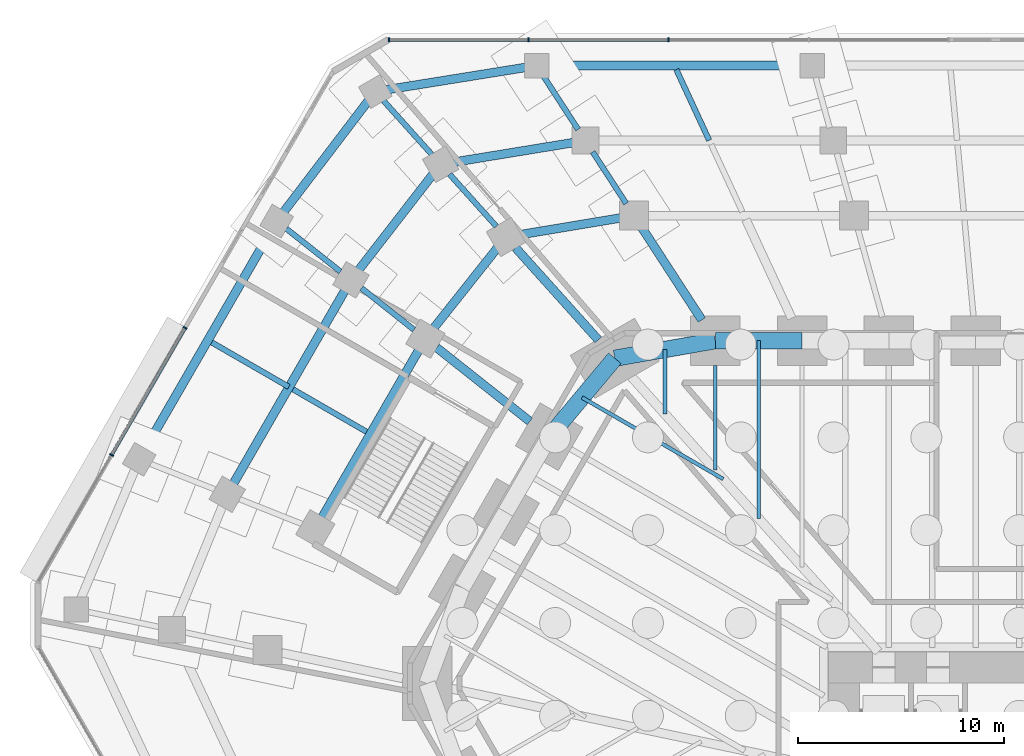
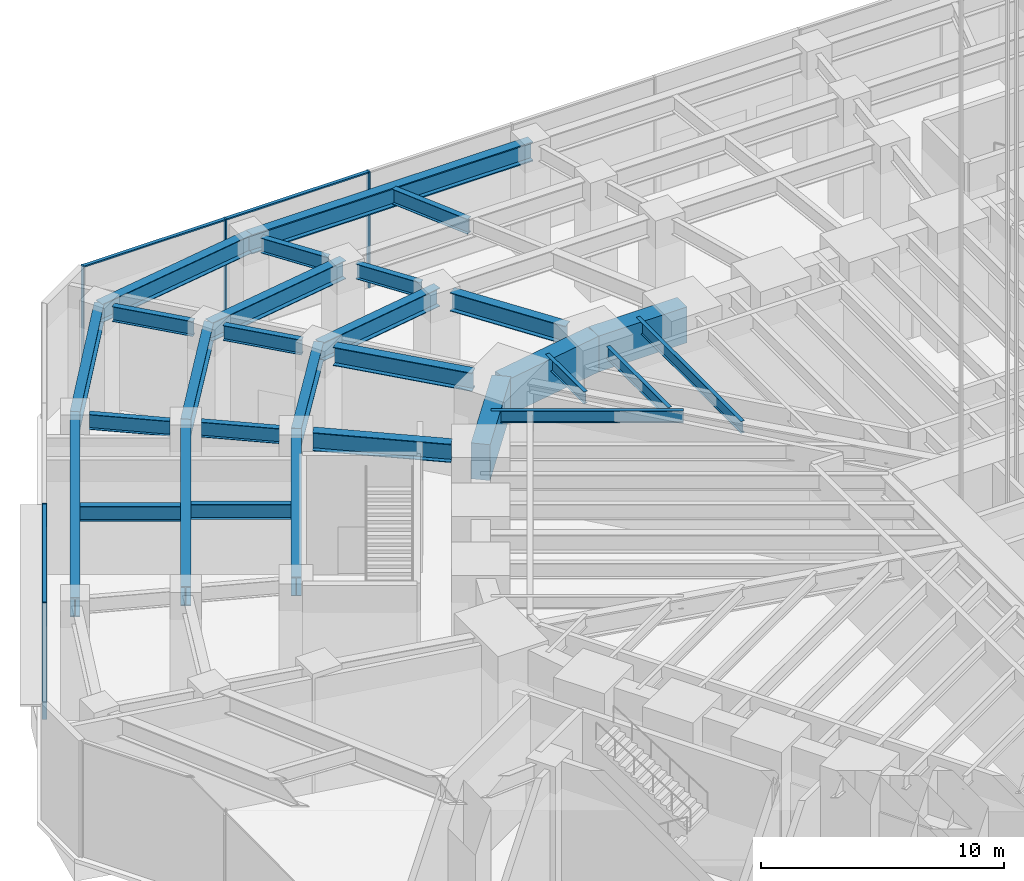
# One storey, part 13 of 34: 29 beams, 8 members, 2 elements without a shape of their own.
"""IFC4 building model written with IfcOpenShell, lengths in metres."""

from ifc_helpers import new_model, si_unit, direction, frame, origin, origin_2d, place, context, subcontext, project, spatial, rectangle, i_section, extrude, material, material_profile, profile_set, type_object, element, aggregate, save


model = new_model("IFC4")

# Units and contexts
model_context = context("Model", 3, precision=1e-05, world=origin(), true_north=direction((0.0, 1.0)))
body_context = subcontext(model_context, "Body", "Model", "MODEL_VIEW")
ifc_project = project(units=[si_unit("LENGTHUNIT", "METRE"), si_unit("AREAUNIT", "SQUARE_METRE"), si_unit("VOLUMEUNIT", "CUBIC_METRE"), si_unit("PLANEANGLEUNIT", "RADIAN"), si_unit("MASSUNIT", "GRAM", prefix="KILO")], contexts=[model_context])

# Site, building, storey
site_placement = place(None, origin())
site = spatial("IfcSite", under=ifc_project, at=site_placement, CompositionType="ELEMENT")
building_placement = place(site_placement, origin())
building = spatial("IfcBuilding", under=site, at=building_placement, Name="Sandreach Pilgrim Tower", CompositionType="ELEMENT")
storey_placement = place(building_placement, origin())
storey = spatial("IfcBuildingStorey", under=building, at=storey_placement, Name="L00", CompositionType="ELEMENT", Elevation=0.0)

# Curtain wall, members
ifc_material_1 = material(Name="Aluminium framed curtain wall", Category="aluminium")
curtain_wall_type = type_object("IfcCurtainWallType", Name="Podium storefront curtain wall", PredefinedType="NOTDEFINED", material=ifc_material_1)
curtain_wall_1_placement = place(storey_placement, origin())
curtain_wall_1 = element("IfcCurtainWall", 1, at=curtain_wall_1_placement, inside=storey, type_object=curtain_wall_type, Name="CW-P L00 NA", PredefinedType="NOTDEFINED")
ifc_material_2 = material(Name="Aluminium extrusion", Category="aluminium")
ifc_material_profile_1 = material_profile(ifc_material_2, rectangle(XDim=0.070068359375, YDim=0.199951171875, at=origin_2d()), Name="CW-PM 70X200")
ifc_profile_set_1 = profile_set([ifc_material_profile_1], Name="Aluminium extrusion")
member_type_1 = type_object("IfcMemberType", Name="CW-P mullion", PredefinedType="MULLION", material=ifc_profile_set_1)
member_1_placement = place(storey_placement, frame((-30.552001953125, 37.285400390625, 0.0), z_axis=(0.0, 0.0, 1.0), x_axis=(1.0, 0.0, 0.0)))
member_1 = element("IfcMember", 2, at=member_1_placement, type_object=member_type_1, Name="CW-P mullion 1", PredefinedType="MULLION", context=body_context, shape_type="SweptSolid", body=[
    extrude(rectangle(XDim=0.070068359375, YDim=0.199951171875, at=origin_2d()), origin(), (0.0, 0.0, 1.0), 5.840087890625),
])
member_2_placement = place(storey_placement, frame((-23.789794921875, 37.285400390625, 0.0), z_axis=(0.0, 0.0, 1.0), x_axis=(1.0, 0.0, 0.0)))
member_2 = element("IfcMember", 3, at=member_2_placement, type_object=member_type_1, Name="CW-P mullion 2", PredefinedType="MULLION", context=body_context, shape_type="SweptSolid", body=[
    extrude(rectangle(XDim=0.070068359375, YDim=0.199951171875, at=origin_2d()), origin(), (0.0, 0.0, 1.0), 5.840087890625),
])
member_3_placement = place(storey_placement, frame((-16.99267578125, 37.285400390625, 0.0), z_axis=(0.0, 0.0, 1.0), x_axis=(1.0, 0.0, 0.0)))
member_3 = element("IfcMember", 4, at=member_3_placement, type_object=member_type_1, Name="CW-P mullion 3", PredefinedType="MULLION", context=body_context, shape_type="SweptSolid", body=[
    extrude(rectangle(XDim=0.070068359375, YDim=0.199951171875, at=origin_2d()), origin(), (0.0, 0.0, 1.0), 5.840087890625),
])

curtain_wall_2_placement = place(storey_placement, origin())
curtain_wall_2 = element("IfcCurtainWall", 5, at=curtain_wall_2_placement, inside=storey, type_object=curtain_wall_type, Name="CW-P L00 NWA", PredefinedType="NOTDEFINED")
member_4_placement = place(storey_placement, frame((-44.005615234375, 17.1435546875, 0.0), z_axis=(0.0, 0.0, 1.0), x_axis=(0.5, 0.866025403784, 0.0)))
member_4 = element("IfcMember", 6, at=member_4_placement, type_object=member_type_1, Name="CW-P mullion 2", PredefinedType="MULLION", context=body_context, shape_type="SweptSolid", body=[
    extrude(rectangle(XDim=0.070068359375, YDim=0.199951171875, at=origin_2d()), origin(), (0.0, 0.0, 1.0), 5.840087890625),
])
member_5_placement = place(storey_placement, frame((-40.4453125, 23.310546875, 0.0), z_axis=(0.0, 0.0, 1.0), x_axis=(0.5, 0.866025403784, 0.0)))
member_5 = element("IfcMember", 7, at=member_5_placement, type_object=member_type_1, Name="CW-P mullion 3", PredefinedType="MULLION", context=body_context, shape_type="SweptSolid", body=[
    extrude(rectangle(XDim=0.070068359375, YDim=0.199951171875, at=origin_2d()), origin(), (0.0, 0.0, 1.0), 5.840087890625),
])

# Member
ifc_material_3 = material(Name="Aluminium extrusion", Category="aluminium")
ifc_material_profile_2 = material_profile(ifc_material_3, rectangle(XDim=0.159912109375, YDim=0.070068359375, at=origin_2d()), Name="CW-PT 160X70")
ifc_profile_set_2 = profile_set([ifc_material_profile_2], Name="Aluminium extrusion")
member_type_2 = type_object("IfcMemberType", Name="CW-P transom", PredefinedType="USERDEFINED", material=ifc_profile_set_2)
member_6_placement = place(storey_placement, frame((-30.51708984375, 37.285400390625, 5.804931640625), z_axis=(1.0, 0.0, 0.0), x_axis=(0.0, 1.0, 0.0)))
member_6 = element("IfcMember", 8, at=member_6_placement, type_object=member_type_2, Name="CW-P head transom 1", ObjectType="TRANSOM", PredefinedType="USERDEFINED", context=body_context, shape_type="SweptSolid", body=[
    extrude(rectangle(XDim=0.159912109375, YDim=0.070068359375, at=origin_2d()), origin(), (0.0, 0.0, 1.0), 6.692138671875),
])

member_7_placement = place(storey_placement, frame((-23.7548828125, 37.285400390625, 5.804931640625), z_axis=(1.0, 0.0, 0.0), x_axis=(0.0, 1.0, 0.0)))
member_7 = element("IfcMember", 9, at=member_7_placement, type_object=member_type_2, Name="CW-P head transom 2", ObjectType="TRANSOM", PredefinedType="USERDEFINED", context=body_context, shape_type="SweptSolid", body=[
    extrude(rectangle(XDim=0.159912109375, YDim=0.070068359375, at=origin_2d()), origin(), (0.0, 0.0, 1.0), 6.72705078125),
])

aggregate(curtain_wall_1, [member_1, member_2, member_3, member_6, member_7])

member_8_placement = place(storey_placement, frame((-43.98828125, 17.174072265625, 5.804931640625), z_axis=(0.500023174947, 0.866012023309, 0.0), x_axis=(-0.866012023309, 0.500023174947, 0.0)))
member_8 = element("IfcMember", 10, at=member_8_placement, type_object=member_type_2, Name="CW-P head transom 2", ObjectType="TRANSOM", PredefinedType="USERDEFINED", context=body_context, shape_type="SweptSolid", body=[
    extrude(rectangle(XDim=0.159912109375, YDim=0.070068359375, at=origin_2d()), origin(), (0.0, 0.0, 1.0), 7.051025390625),
])

aggregate(curtain_wall_2, [member_4, member_5, member_8])

# Beams
ifc_material_4 = material(Name="Steel ASTM A992 Grade 50", Category="steel")
ifc_material_profile_3 = material_profile(ifc_material_4, i_section(OverallWidth=0.1787109375, OverallDepth=0.60205078125, WebThickness=0.010986328125, FlangeThickness=0.014892578125, at=origin_2d()), Name="W24X62")
ifc_profile_set_3 = profile_set([ifc_material_profile_3], Name="Steel ASTM A992 Grade 50")
beam_type_1 = type_object("IfcBeamType", Name="Floor beam W24X62", PredefinedType="BEAM", material=ifc_profile_set_3)
beam_1_placement = place(storey_placement, frame((-14.734619140625, 21.48876953125, 5.5390625), z_axis=(0.0, -1.0, 0.0), x_axis=(1.0, 0.0, 0.0)))
element("IfcBeam", 11, at=beam_1_placement, inside=storey, type_object=beam_type_1, Name="BM L00 F01", PredefinedType="BEAM", context=body_context, shape_type="SweptSolid", body=[
    extrude(i_section(OverallWidth=0.1787109375, OverallDepth=0.60205078125, WebThickness=0.010986328125, FlangeThickness=0.014892578125, at=origin_2d()), origin(), (0.0, 0.0, 1.0), 5.079345703125),
])
beam_2_placement = place(storey_placement, frame((-12.629638671875, 22.688720703125, 5.5390625), z_axis=(0.0, -1.0, 0.0), x_axis=(1.0, 0.0, 0.0)))
element("IfcBeam", 12, at=beam_2_placement, inside=storey, type_object=beam_type_1, Name="BM L00 FM01", PredefinedType="BEAM", context=body_context, shape_type="SweptSolid", body=[
    extrude(i_section(OverallWidth=0.1787109375, OverallDepth=0.60205078125, WebThickness=0.010986328125, FlangeThickness=0.014892578125, at=origin_2d()), origin(), (0.0, 0.0, 1.0), 8.62353515625),
])
beam_3_placement = place(storey_placement, frame((-21.197021484375, 19.933349609375, 5.5390625), z_axis=(0.866028778003, -0.499994155636, 0.0), x_axis=(0.499994155636, 0.866028778003, 0.0)))
element("IfcBeam", 13, at=beam_3_placement, inside=storey, type_object=beam_type_1, Name="BM L00 FM38", PredefinedType="BEAM", context=body_context, shape_type="SweptSolid", body=[
    extrude(i_section(OverallWidth=0.1787109375, OverallDepth=0.60205078125, WebThickness=0.010986328125, FlangeThickness=0.014892578125, at=origin_2d()), origin(), (0.0, 0.0, 1.0), 7.90771484375),
])
beam_4_placement = place(storey_placement, frame((-17.17041015625, 22.26171875, 5.5390625), z_axis=(0.0, -1.0, 0.0), x_axis=(1.0, 0.0, 0.0)))
element("IfcBeam", 14, at=beam_4_placement, inside=storey, type_object=beam_type_1, Name="BM L00 FM39", PredefinedType="BEAM", context=body_context, shape_type="SweptSolid", body=[
    extrude(i_section(OverallWidth=0.1787109375, OverallDepth=0.60205078125, WebThickness=0.010986328125, FlangeThickness=0.014892578125, at=origin_2d()), origin(), (0.0, 0.0, 1.0), 3.1396484375),
])
ifc_material_5 = material(Name="Steel ASTM A992 Grade 50", Category="steel")
ifc_material_profile_4 = material_profile(ifc_material_5, i_section(OverallWidth=0.2666015625, OverallDepth=0.7568359375, WebThickness=0.013916015625, FlangeThickness=0.019287109375, at=origin_2d()), Name="W30X108")
ifc_profile_set_4 = profile_set([ifc_material_profile_4], Name="Steel ASTM A992 Grade 50")
beam_type_2 = type_object("IfcBeamType", Name="Podium beam W30X108", PredefinedType="BEAM", material=ifc_profile_set_4)
beam_5_placement = place(storey_placement, frame((-19.052978515625, 29.337890625, 5.46142578125), z_axis=(-0.544663679037, 0.838654563415, 0.0), x_axis=(-0.838654563415, -0.544663679037, 0.0)))
element("IfcBeam", 15, at=beam_5_placement, inside=storey, type_object=beam_type_2, Name="BM L00 PR140-01", PredefinedType="BEAM", context=body_context, shape_type="SweptSolid", body=[
    extrude(i_section(OverallWidth=0.2666015625, OverallDepth=0.7568359375, WebThickness=0.013916015625, FlangeThickness=0.019287109375, at=origin_2d()), origin(), (0.0, 0.0, 1.0), 2.987060546875),
])
beam_6_placement = place(storey_placement, frame((-31.645263671875, 18.270263671875, 5.46142578125), z_axis=(-0.865992213802, 0.50005748233, 0.0), x_axis=(-0.50005748233, -0.865992213802, 0.0)))
element("IfcBeam", 16, at=beam_6_placement, inside=storey, type_object=beam_type_2, Name="BM L00 PR140-37", PredefinedType="BEAM", context=body_context, shape_type="SweptSolid", body=[
    extrude(i_section(OverallWidth=0.2666015625, OverallDepth=0.7568359375, WebThickness=0.013916015625, FlangeThickness=0.019287109375, at=origin_2d()), origin(), (0.0, 0.0, 1.0), 4.12109375),
])
beam_7_placement = place(storey_placement, frame((-29.3427734375, 23.218994140625, 5.46142578125), z_axis=(-0.784196808653, 0.620512179815, 0.0), x_axis=(-0.620512179815, -0.784196808653, 0.0)))
element("IfcBeam", 17, at=beam_7_placement, inside=storey, type_object=beam_type_2, Name="BM L00 PR140-38", PredefinedType="BEAM", context=body_context, shape_type="SweptSolid", body=[
    extrude(i_section(OverallWidth=0.2666015625, OverallDepth=0.7568359375, WebThickness=0.013916015625, FlangeThickness=0.019287109375, at=origin_2d()), origin(), (0.0, 0.0, 1.0), 3.24560546875),
])
beam_8_placement = place(storey_placement, frame((-25.352783203125, 28.234375, 5.46142578125), z_axis=(-0.668105036211, 0.744066973188, 0.0), x_axis=(-0.744066973188, -0.668105036211, 0.0)))
element("IfcBeam", 18, at=beam_8_placement, inside=storey, type_object=beam_type_2, Name="BM L00 PR140-39", PredefinedType="BEAM", context=body_context, shape_type="SweptSolid", body=[
    extrude(i_section(OverallWidth=0.2666015625, OverallDepth=0.7568359375, WebThickness=0.013916015625, FlangeThickness=0.019287109375, at=origin_2d()), origin(), (0.0, 0.0, 1.0), 3.390869140625),
])
beam_9_placement = place(storey_placement, frame((-21.387939453125, 32.933349609375, 5.37158203125), z_axis=(-0.544676966025, 0.83864593404, 0.0), x_axis=(-0.83864593404, -0.544676966025, 0.0)))
element("IfcBeam", 19, at=beam_9_placement, inside=storey, type_object=beam_type_2, Name="BM L00 PR155-01", PredefinedType="BEAM", context=body_context, shape_type="SweptSolid", body=[
    extrude(i_section(OverallWidth=0.2666015625, OverallDepth=0.7568359375, WebThickness=0.013916015625, FlangeThickness=0.019287109375, at=origin_2d()), origin(), (0.0, 0.0, 1.0), 3.0869140625),
])
beam_10_placement = place(storey_placement, frame((-15.03076171875, 32.40234375, 5.37158203125), z_axis=(-0.420777352804, 0.907163942938, 0.0), x_axis=(-0.907163942938, -0.420777352804, 0.0)))
element("IfcBeam", 20, at=beam_10_placement, inside=storey, type_object=beam_type_2, Name="BM L00 PR155-02", PredefinedType="BEAM", context=body_context, shape_type="SweptSolid", body=[
    extrude(i_section(OverallWidth=0.2666015625, OverallDepth=0.7568359375, WebThickness=0.013916015625, FlangeThickness=0.019287109375, at=origin_2d()), origin(), (0.0, 0.0, 1.0), 3.78076171875),
])
beam_11_placement = place(storey_placement, frame((-35.412353515625, 20.4453125, 5.37158203125), z_axis=(-0.866017978256, 0.500012861172, 0.0), x_axis=(-0.500012861172, -0.866017978256, 0.0)))
element("IfcBeam", 21, at=beam_11_placement, inside=storey, type_object=beam_type_2, Name="BM L00 PR155-37", PredefinedType="BEAM", context=body_context, shape_type="SweptSolid", body=[
    extrude(i_section(OverallWidth=0.2666015625, OverallDepth=0.7568359375, WebThickness=0.013916015625, FlangeThickness=0.019287109375, at=origin_2d()), origin(), (0.0, 0.0, 1.0), 4.31787109375),
])
beam_12_placement = place(storey_placement, frame((-32.9072265625, 26.03955078125, 5.37158203125), z_axis=(-0.784196737121, 0.620512270216, 0.0), x_axis=(-0.620512270216, -0.784196737121, 0.0)))
element("IfcBeam", 22, at=beam_12_placement, inside=storey, type_object=beam_type_2, Name="BM L00 PR155-38", PredefinedType="BEAM", context=body_context, shape_type="SweptSolid", body=[
    extrude(i_section(OverallWidth=0.2666015625, OverallDepth=0.7568359375, WebThickness=0.013916015625, FlangeThickness=0.019287109375, at=origin_2d()), origin(), (0.0, 0.0, 1.0), 3.345458984375),
])
beam_13_placement = place(storey_placement, frame((-28.48681640625, 31.724609375, 5.37158203125), z_axis=(-0.668106407686, 0.744065741725, 0.0), x_axis=(-0.744065741725, -0.668106407686, 0.0)))
element("IfcBeam", 23, at=beam_13_placement, inside=storey, type_object=beam_type_2, Name="BM L00 PR155-39", PredefinedType="BEAM", context=body_context, shape_type="SweptSolid", body=[
    extrude(i_section(OverallWidth=0.2666015625, OverallDepth=0.7568359375, WebThickness=0.013916015625, FlangeThickness=0.019287109375, at=origin_2d()), origin(), (0.0, 0.0, 1.0), 3.490478515625),
])
ifc_material_6 = material(Name="Steel ASTM A992 Grade 50", Category="steel")
ifc_material_profile_5 = material_profile(ifc_material_6, i_section(OverallWidth=0.419189453125, OverallDepth=0.927001953125, WebThickness=0.019287109375, FlangeThickness=0.031982421875, at=origin_2d()), Name="W36X231")
ifc_profile_set_5 = profile_set([ifc_material_profile_5], Name="Steel ASTM A992 Grade 50")
beam_type_3 = type_object("IfcBeamType", Name="Podium beam W36X231", PredefinedType="BEAM", material=ifc_profile_set_5)
beam_14_placement = place(storey_placement, frame((-15.38818359375, 23.695068359375, 5.37646484375), z_axis=(-0.544679105424, 0.838644544556, 0.0), x_axis=(-0.838644544556, -0.544679105424, 0.0)))
element("IfcBeam", 24, at=beam_14_placement, inside=storey, type_object=beam_type_3, Name="BM L00 PR125-01", PredefinedType="BEAM", context=body_context, shape_type="SweptSolid", body=[
    extrude(i_section(OverallWidth=0.419189453125, OverallDepth=0.927001953125, WebThickness=0.019287109375, FlangeThickness=0.031982421875, at=origin_2d()), origin(), (0.0, 0.0, 1.0), 5.32861328125),
])
beam_15_placement = place(storey_placement, frame((-23.728759765625, 18.776611328125, 5.37646484375), z_axis=(-0.784174749231, 0.620540057263, 0.0), x_axis=(-0.620540057263, -0.784174749231, 0.0)))
element("IfcBeam", 25, at=beam_15_placement, inside=storey, type_object=beam_type_3, Name="BM L00 PR125-38", PredefinedType="BEAM", context=body_context, shape_type="SweptSolid", body=[
    extrude(i_section(OverallWidth=0.419189453125, OverallDepth=0.927001953125, WebThickness=0.019287109375, FlangeThickness=0.031982421875, at=origin_2d()), origin(), (0.0, 0.0, 1.0), 5.759033203125),
])
beam_16_placement = place(storey_placement, frame((-20.407958984375, 22.727783203125, 5.37646484375), z_axis=(-0.668130429615, 0.744044171419, 0.0), x_axis=(-0.744044171419, -0.668130429615, 0.0)))
element("IfcBeam", 26, at=beam_16_placement, inside=storey, type_object=beam_type_3, Name="BM L00 PR125-39", PredefinedType="BEAM", context=body_context, shape_type="SweptSolid", body=[
    extrude(i_section(OverallWidth=0.419189453125, OverallDepth=0.927001953125, WebThickness=0.019287109375, FlangeThickness=0.031982421875, at=origin_2d()), origin(), (0.0, 0.0, 1.0), 6.001220703125),
])
ifc_material_7 = material(Name="Steel ASTM A992 Grade 50", Category="steel")
ifc_material_profile_6 = material_profile(ifc_material_7, i_section(OverallWidth=0.419189453125, OverallDepth=0.927001953125, WebThickness=0.019287109375, FlangeThickness=0.031982421875, at=origin_2d()), Name="W36X231")
ifc_profile_set_6 = profile_set([ifc_material_profile_6], Name="Steel ASTM A992 Grade 50")
beam_type_4 = type_object("IfcBeamType", Name="Podium edge beam W36X231", PredefinedType="BEAM", material=ifc_profile_set_6)
beam_17_placement = place(storey_placement, frame((-28.7939453125, 22.78466796875, 5.37646484375), z_axis=(0.621347882952, 0.783534816298, 0.0), x_axis=(-0.783534816298, 0.621347882952, 0.0)))
element("IfcBeam", 27, at=beam_17_placement, inside=storey, type_object=beam_type_4, Name="BM L00 PE125-38", PredefinedType="BEAM", context=body_context, shape_type="SweptSolid", body=[
    extrude(i_section(OverallWidth=0.419189453125, OverallDepth=0.927001953125, WebThickness=0.019287109375, FlangeThickness=0.031982421875, at=origin_2d()), origin(), (0.0, 0.0, 1.0), 6.290771484375),
])
beam_18_placement = place(storey_placement, frame((-24.88525390625, 27.713623046875, 5.37646484375), z_axis=(0.986348847433, 0.164669217427, 0.0), x_axis=(-0.164669217427, 0.986348847433, 0.0)))
element("IfcBeam", 28, at=beam_18_placement, inside=storey, type_object=beam_type_4, Name="BM L00 PE125-39", PredefinedType="BEAM", context=body_context, shape_type="SweptSolid", body=[
    extrude(i_section(OverallWidth=0.419189453125, OverallDepth=0.927001953125, WebThickness=0.019287109375, FlangeThickness=0.031982421875, at=origin_2d()), origin(), (0.0, 0.0, 1.0), 6.299560546875),
])
beam_19_placement = place(storey_placement, frame((-32.3974609375, 25.63623046875, 5.37646484375), z_axis=(0.612686189545, 0.790326282709, 0.0), x_axis=(-0.790326282709, 0.612686189545, 0.0)))
element("IfcBeam", 29, at=beam_19_placement, inside=storey, type_object=beam_type_4, Name="BM L00 PE140-38", PredefinedType="BEAM", context=body_context, shape_type="SweptSolid", body=[
    extrude(i_section(OverallWidth=0.419189453125, OverallDepth=0.927001953125, WebThickness=0.019287109375, FlangeThickness=0.031982421875, at=origin_2d()), origin(), (0.0, 0.0, 1.0), 7.091552734375),
])
beam_20_placement = place(storey_placement, frame((-28.052490234375, 31.240966796875, 5.37646484375), z_axis=(0.986903116406, 0.161314099902, 0.0), x_axis=(-0.161314099902, 0.986903116406, 0.0)))
element("IfcBeam", 30, at=beam_20_placement, inside=storey, type_object=beam_type_4, Name="BM L00 PE140-39", PredefinedType="BEAM", context=body_context, shape_type="SweptSolid", body=[
    extrude(i_section(OverallWidth=0.419189453125, OverallDepth=0.927001953125, WebThickness=0.019287109375, FlangeThickness=0.031982421875, at=origin_2d()), origin(), (0.0, 0.0, 1.0), 7.11181640625),
])
beam_21_placement = place(storey_placement, frame((-36.001220703125, 28.48779296875, 5.286376953125), z_axis=(0.605749634425, 0.795655315067, 0.0), x_axis=(-0.795655315067, 0.605749634425, 0.0)))
element("IfcBeam", 31, at=beam_21_placement, inside=storey, type_object=beam_type_4, Name="BM L00 PE155-38", PredefinedType="BEAM", context=body_context, shape_type="SweptSolid", body=[
    extrude(i_section(OverallWidth=0.419189453125, OverallDepth=0.927001953125, WebThickness=0.019287109375, FlangeThickness=0.031982421875, at=origin_2d()), origin(), (0.0, 0.0, 1.0), 7.8935546875),
])
beam_22_placement = place(storey_placement, frame((-31.2197265625, 34.768310546875, 5.286376953125), z_axis=(0.987336404223, 0.158640552498, 0.0), x_axis=(-0.158640552498, 0.987336404223, 0.0)))
element("IfcBeam", 32, at=beam_22_placement, inside=storey, type_object=beam_type_4, Name="BM L00 PE155-39", PredefinedType="BEAM", context=body_context, shape_type="SweptSolid", body=[
    extrude(i_section(OverallWidth=0.419189453125, OverallDepth=0.927001953125, WebThickness=0.019287109375, FlangeThickness=0.031982421875, at=origin_2d()), origin(), (0.0, 0.0, 1.0), 7.924072265625),
])
ifc_material_8 = material(Name="Steel ASTM A992 Grade 50", Category="steel")
ifc_material_profile_7 = material_profile(ifc_material_8, i_section(OverallWidth=0.424072265625, OverallDepth=0.947509765625, WebThickness=0.02392578125, FlangeThickness=0.042724609375, at=origin_2d()), Name="W36X302")
ifc_profile_set_7 = profile_set([ifc_material_profile_7], Name="Steel ASTM A992 Grade 50")
beam_type_5 = type_object("IfcBeamType", Name="Podium edge beam W36X302", PredefinedType="BEAM", material=ifc_profile_set_7)
beam_23_placement = place(storey_placement, frame((-34.129150390625, 13.5439453125, 5.3662109375), z_axis=(0.500005016135, 0.866022507698, 0.0), x_axis=(-0.866022507698, 0.500005016135, 0.0)))
element("IfcBeam", 33, at=beam_23_placement, inside=storey, type_object=beam_type_5, Name="BM L00 PE125-36", PredefinedType="BEAM", context=body_context, shape_type="SweptSolid", body=[
    extrude(i_section(OverallWidth=0.424072265625, OverallDepth=0.947509765625, WebThickness=0.02392578125, FlangeThickness=0.042724609375, at=origin_2d()), origin(), (0.0, 0.0, 1.0), 10.67041015625),
])
ifc_material_9 = material(Name="Steel ASTM A992 Grade 50", Category="steel")
ifc_material_profile_8 = material_profile(ifc_material_9, i_section(OverallWidth=0.4267578125, OverallDepth=0.975341796875, WebThickness=0.031005859375, FlangeThickness=0.055908203125, at=origin_2d()), Name="W36X395")
ifc_profile_set_8 = profile_set([ifc_material_profile_8], Name="Steel ASTM A992 Grade 50")
beam_type_6 = type_object("IfcBeamType", Name="Podium edge beam W36X395", PredefinedType="BEAM", material=ifc_profile_set_8)
beam_24_placement = place(storey_placement, frame((-38.400390625, 15.239013671875, 5.352294921875), z_axis=(0.500005857885, 0.866022021707, 0.0), x_axis=(-0.866022021707, 0.500005857885, 0.0)))
element("IfcBeam", 34, at=beam_24_placement, inside=storey, type_object=beam_type_6, Name="BM L00 PE140-36", PredefinedType="BEAM", context=body_context, shape_type="SweptSolid", body=[
    extrude(i_section(OverallWidth=0.4267578125, OverallDepth=0.975341796875, WebThickness=0.031005859375, FlangeThickness=0.055908203125, at=origin_2d()), origin(), (0.0, 0.0, 1.0), 12.005615234375),
])
beam_25_placement = place(storey_placement, frame((-23.39599609375, 36.025390625, 5.26220703125), z_axis=(1.0, 0.0, 0.0), x_axis=(0.0, 1.0, 0.0)))
element("IfcBeam", 35, at=beam_25_placement, inside=storey, type_object=beam_type_6, Name="BM L00 PE155-01", PredefinedType="BEAM", context=body_context, shape_type="SweptSolid", body=[
    extrude(i_section(OverallWidth=0.4267578125, OverallDepth=0.975341796875, WebThickness=0.031005859375, FlangeThickness=0.055908203125, at=origin_2d()), origin(), (0.0, 0.0, 1.0), 13.369140625),
])
beam_26_placement = place(storey_placement, frame((-42.671875, 16.93408203125, 5.26220703125), z_axis=(0.500006531119, 0.866021633008, 0.0), x_axis=(-0.866021633008, 0.500006531119, 0.0)))
element("IfcBeam", 36, at=beam_26_placement, inside=storey, type_object=beam_type_6, Name="BM L00 PE155-36", PredefinedType="BEAM", context=body_context, shape_type="SweptSolid", body=[
    extrude(i_section(OverallWidth=0.4267578125, OverallDepth=0.975341796875, WebThickness=0.031005859375, FlangeThickness=0.055908203125, at=origin_2d()), origin(), (0.0, 0.0, 1.0), 13.341064453125),
])
ifc_material_10 = material(Name="Concrete 10000 psi", Category="concrete")
ifc_material_profile_9 = material_profile(ifc_material_10, rectangle(XDim=0.800048828125, YDim=1.800048828125, at=origin_2d()), Name="RC800X1800")
ifc_profile_set_9 = profile_set([ifc_material_profile_9], Name="Concrete 10000 psi")
beam_type_7 = type_object("IfcBeamType", Name="Spandrel beam RC800X1800", PredefinedType="SPANDREL", material=ifc_profile_set_9)
beam_27_placement = place(storey_placement, frame((-14.734619140625, 22.688720703125, 4.93994140625), z_axis=(1.0, 0.0, 0.0), x_axis=(0.0, 1.0, 0.0)))
element("IfcBeam", 37, at=beam_27_placement, inside=storey, type_object=beam_type_7, Name="BM L00 SP01", PredefinedType="SPANDREL", context=body_context, shape_type="SweptSolid", body=[
    extrude(rectangle(XDim=0.800048828125, YDim=1.800048828125, at=origin_2d()), origin(), (0.0, 0.0, 1.0), 4.209716796875),
])
beam_28_placement = place(storey_placement, frame((-22.787841796875, 18.031982421875, 4.93994140625), z_axis=(0.641665295114, 0.766984777584, 0.0), x_axis=(-0.766984777584, 0.641665295114, 0.0)))
element("IfcBeam", 38, at=beam_28_placement, inside=storey, type_object=beam_type_7, Name="BM L00 SP38", PredefinedType="SPANDREL", context=body_context, shape_type="SweptSolid", body=[
    extrude(rectangle(XDim=0.800048828125, YDim=1.800048828125, at=origin_2d()), origin(), (0.0, 0.0, 1.0), 4.9580078125),
])
beam_29_placement = place(storey_placement, frame((-19.6064453125, 21.834716796875, 4.93994140625), z_axis=(0.984981186582, 0.172661698355, 0.0), x_axis=(-0.172661698355, 0.984981186582, 0.0)))
element("IfcBeam", 39, at=beam_29_placement, inside=storey, type_object=beam_type_7, Name="BM L00 SP39", PredefinedType="SPANDREL", context=body_context, shape_type="SweptSolid", body=[
    extrude(rectangle(XDim=0.800048828125, YDim=1.800048828125, at=origin_2d()), origin(), (0.0, 0.0, 1.0), 4.946044921875),
])

save(model, "model.ifc")
